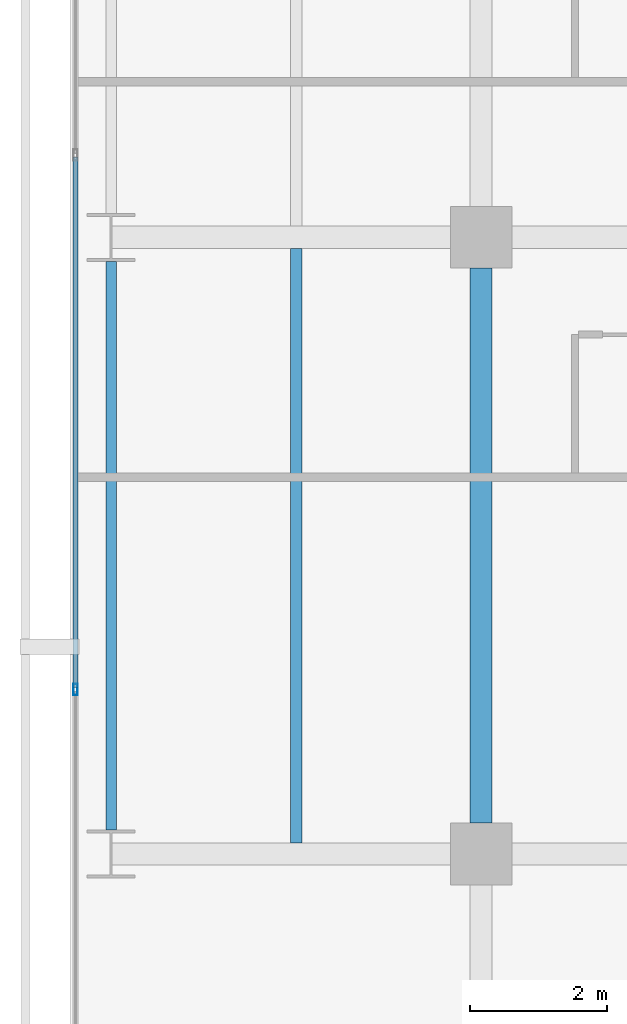
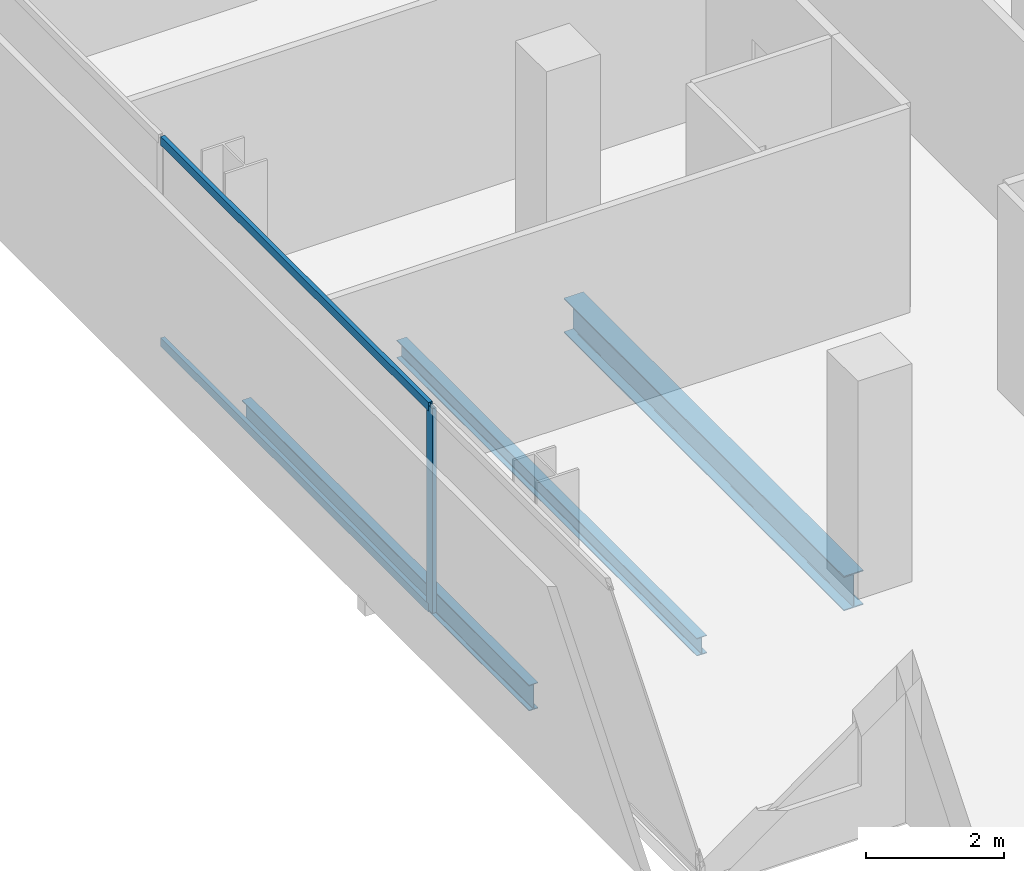
# One storey, part 5 of 40: 3 beams, 3 members, 1 element without a shape of its own.
"""IFC4 building model written with IfcOpenShell, lengths in metres."""

from ifc_helpers import new_model, si_unit, direction, frame, origin, origin_2d, place, context, subcontext, project, spatial, hollow_rectangle, i_section, extrude, material, layer, layer_set, material_profile, profile_set, type_object, element, aggregate, save


model = new_model("IFC4")

# Units and contexts
model_context = context("Model", 3, precision=1e-05, world=origin(), true_north=direction((0.0, 1.0)))
body_context = subcontext(model_context, "Body", "Model", "MODEL_VIEW")
ifc_project = project(units=[si_unit("LENGTHUNIT", "METRE"), si_unit("AREAUNIT", "SQUARE_METRE"), si_unit("VOLUMEUNIT", "CUBIC_METRE"), si_unit("PLANEANGLEUNIT", "RADIAN"), si_unit("MASSUNIT", "GRAM", prefix="KILO")], contexts=[model_context])

# Site, building, storey
site_placement = place(None, origin())
site = spatial("IfcSite", under=ifc_project, at=site_placement, CompositionType="ELEMENT")
building_placement = place(site_placement, origin())
building = spatial("IfcBuilding", under=site, at=building_placement, Name="Maruvema Waterfront Hotel and Observation Tower", CompositionType="ELEMENT")
storey_placement = place(building_placement, frame((0.0, 0.0, 96.25)))
storey = spatial("IfcBuildingStorey", under=building, at=storey_placement, Name="L23", CompositionType="ELEMENT", Elevation=96.25)

# Curtain wall, members
ifc_material_1 = material(Name="Anodised bronze aluminium and solar-control low-E IGU", Category="aluminium")
ifc_layer = layer(ifc_material_1, 0.159912109375, Name="Zone 1 Bronze Inner Thermal Curtain Wall System CW-02")
ifc_layer_set = layer_set([ifc_layer], Name="Anodised bronze aluminium and solar-control low-E IGU")
curtain_wall_type = type_object("IfcCurtainWallType", Name="Zone 1 Bronze Inner Thermal Curtain Wall System CW-02", PredefinedType="USERDEFINED", material=ifc_layer_set)
curtain_wall_placement = place(storey_placement, origin())
curtain_wall = element("IfcCurtainWall", 1, at=curtain_wall_placement, inside=storey, type_object=curtain_wall_type, Name="L23 Curtain Wall CW-L23-W", ObjectType="UNITISED CURTAIN WALL", PredefinedType="USERDEFINED")
ifc_material_2 = material(Name="Anodised architectural bronze aluminium", Category="aluminium")
ifc_material_profile_1 = material_profile(ifc_material_2, hollow_rectangle(XDim=0.070068359375, YDim=0.14990234375, WallThickness=0.00390625, at=origin_2d()), Name="ALU-T70x150")
ifc_profile_set_1 = profile_set([ifc_material_profile_1], Name="Anodised architectural bronze aluminium")
member_type_1 = type_object("IfcMemberType", Name="Curtain Wall Horizontal Transom ALU-T70x150", PredefinedType="USERDEFINED", material=ifc_profile_set_1)
member_1_placement = place(storey_placement, frame((10.8798828125, 19.169921875, 0.030029296875), z_axis=(0.0, -1.0, 0.0), x_axis=(1.0, 0.0, 0.0)))
member_1 = element("IfcMember", 2, at=member_1_placement, type_object=member_type_1, Name="CW-02 transom 5.1", ObjectType="TRANSOM", PredefinedType="USERDEFINED", context=body_context, shape_type="SweptSolid", body=[
    extrude(hollow_rectangle(XDim=0.070068359375, YDim=0.14990234375, WallThickness=0.00390625, at=origin_2d()), origin(), (0.0, 0.0, 1.0), 7.739990234375),
])
member_2_placement = place(storey_placement, frame((10.8798828125, 19.169921875, 3.580078125), z_axis=(0.0, -1.0, 0.0), x_axis=(1.0, 0.0, 0.0)))
member_2 = element("IfcMember", 3, at=member_2_placement, type_object=member_type_1, Name="CW-02 transom 5.2", ObjectType="TRANSOM", PredefinedType="USERDEFINED", context=body_context, shape_type="SweptSolid", body=[
    extrude(hollow_rectangle(XDim=0.070068359375, YDim=0.14990234375, WallThickness=0.00390625, at=origin_2d()), origin(), (0.0, 0.0, 1.0), 7.739990234375),
])
ifc_material_3 = material(Name="Anodised architectural bronze aluminium", Category="aluminium")
ifc_material_profile_2 = material_profile(ifc_material_3, hollow_rectangle(XDim=0.06494140625, YDim=0.1650390625, WallThickness=0.00390625, at=origin_2d()), Name="ALU-M65x165")
ifc_profile_set_2 = profile_set([ifc_material_profile_2], Name="Anodised architectural bronze aluminium")
member_type_2 = type_object("IfcMemberType", Name="Curtain Wall Primary Mullion ALU-M65x165", PredefinedType="MULLION", material=ifc_profile_set_2)
member_3_placement = place(storey_placement, frame((10.8798828125, 11.39990234375, 0.0), z_axis=(0.0, 0.0, 1.0), x_axis=(1.0, 0.0, 0.0)))
member_3 = element("IfcMember", 4, at=member_3_placement, type_object=member_type_2, Name="CW-02 mullion 6", PredefinedType="MULLION", context=body_context, shape_type="SweptSolid", body=[
    extrude(hollow_rectangle(XDim=0.06494140625, YDim=0.1650390625, WallThickness=0.00390625, at=origin_2d()), origin(), (0.0, 0.0, 1.0), 3.610107421875),
])
aggregate(curtain_wall, [member_3, member_1, member_2])

# Beams
ifc_material_4 = material(Name="Steel ASTM A572 Grade 50", Category="steel")
ifc_material_profile_3 = material_profile(ifc_material_4, i_section(OverallWidth=0.153076171875, OverallDepth=0.455078125, WebThickness=0.008056640625, FlangeThickness=0.01318359375, FilletRadius=0.014892578125, at=origin_2d()), Name="W460x60.0")
ifc_profile_set_3 = profile_set([ifc_material_profile_3], Name="Steel ASTM A572 Grade 50")
beam_type_1 = type_object("IfcBeamType", Name="Perimeter Spandrel Beam W460x60.0", PredefinedType="SPANDREL", material=ifc_profile_set_3)
beam_1_placement = place(storey_placement, frame((11.39990234375, 9.35009765625, -0.467529296875), z_axis=(0.0, 1.0, 0.0), x_axis=(-1.0, 0.0, 0.0)))
element("IfcBeam", 5, at=beam_1_placement, inside=storey, type_object=beam_type_1, Name="L23 Floor Girder NS-01", PredefinedType="SPANDREL", context=body_context, shape_type="SweptSolid", body=[
    extrude(i_section(OverallWidth=0.153076171875, OverallDepth=0.455078125, WebThickness=0.008056640625, FlangeThickness=0.01318359375, FilletRadius=0.014892578125, at=origin_2d()), origin(), (0.0, 0.0, 1.0), 8.2998046875),
])
ifc_material_5 = material(Name="Steel ASTM A572 Grade 50", Category="steel")
ifc_material_profile_4 = material_profile(ifc_material_5, i_section(OverallWidth=0.323974609375, OverallDepth=0.611083984375, WebThickness=0.0126953125, FlangeThickness=0.01904296875, FilletRadius=0.01806640625, at=origin_2d()), Name="W610x155.0")
ifc_profile_set_4 = profile_set([ifc_material_profile_4], Name="Steel ASTM A572 Grade 50")
beam_type_2 = type_object("IfcBeamType", Name="Primary Floor Girder W610x155.0", PredefinedType="BEAM", material=ifc_profile_set_4)
beam_2_placement = place(storey_placement, frame((16.800048828125, 9.449951171875, -0.54541015625), z_axis=(0.0, 1.0, 0.0), x_axis=(-1.0, 0.0, 0.0)))
element("IfcBeam", 6, at=beam_2_placement, inside=storey, type_object=beam_type_2, Name="L23 Floor Girder NS-06", PredefinedType="BEAM", context=body_context, shape_type="SweptSolid", body=[
    extrude(i_section(OverallWidth=0.323974609375, OverallDepth=0.611083984375, WebThickness=0.0126953125, FlangeThickness=0.01904296875, FilletRadius=0.01806640625, at=origin_2d()), origin(), (0.0, 0.0, 1.0), 8.10009765625),
])
ifc_material_6 = material(Name="Steel ASTM A572 Grade 50", Category="steel")
ifc_material_profile_5 = material_profile(ifc_material_6, i_section(OverallWidth=0.1669921875, OverallDepth=0.31689453125, WebThickness=0.007568359375, FlangeThickness=0.01318359375, FilletRadius=0.012939453125, at=origin_2d()), Name="W310x52.0")
ifc_profile_set_5 = profile_set([ifc_material_profile_5], Name="Steel ASTM A572 Grade 50")
beam_type_3 = type_object("IfcBeamType", Name="Secondary Floor Joist W310x52.0", PredefinedType="JOIST", material=ifc_profile_set_5)
beam_3_placement = place(storey_placement, frame((14.10009765625, 9.162109375, -0.3984375), z_axis=(0.0, 1.0, 0.0), x_axis=(-1.0, 0.0, 0.0)))
element("IfcBeam", 7, at=beam_3_placement, inside=storey, type_object=beam_type_3, Name="L23 Secondary Floor Joist JS-01", PredefinedType="JOIST", context=body_context, shape_type="SweptSolid", body=[
    extrude(i_section(OverallWidth=0.1669921875, OverallDepth=0.31689453125, WebThickness=0.007568359375, FlangeThickness=0.01318359375, FilletRadius=0.012939453125, at=origin_2d()), origin(), (0.0, 0.0, 1.0), 8.67578125),
])

save(model, "model.ifc")
